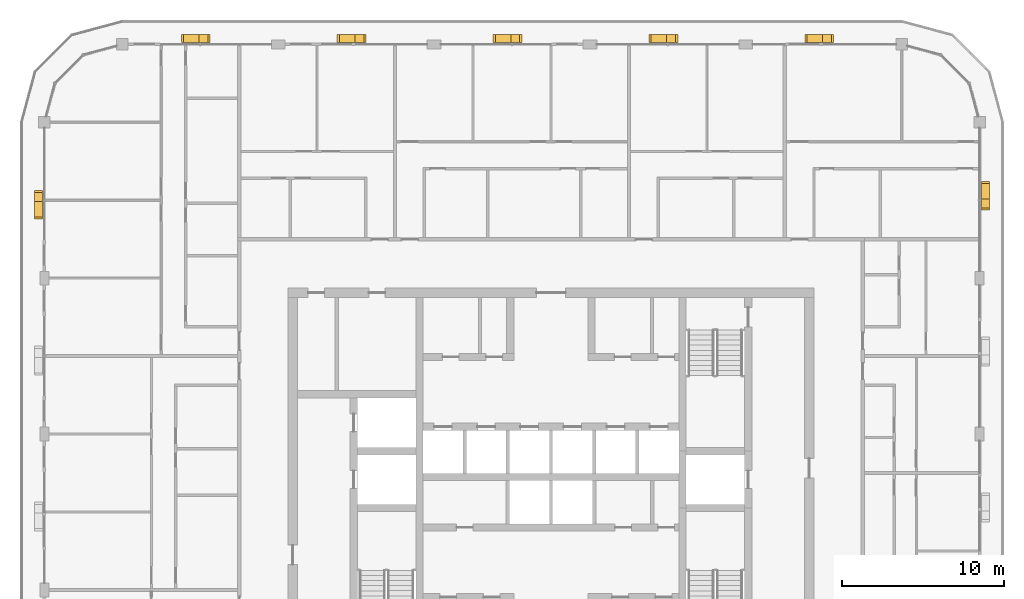
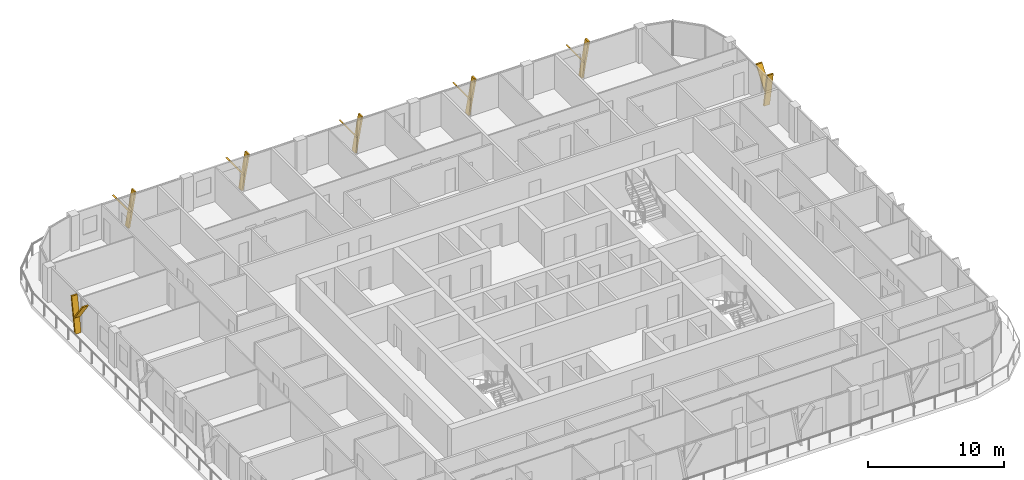
# One storey, part 22 of 22: 14 shading devices.
"""IFC4 building model written with IfcOpenShell, lengths in metres."""

from ifc_helpers import new_model, si_unit, direction, frame, origin, place, context, subcontext, project, spatial, polyline, outline, extrude, material, type_object, element, save


model = new_model("IFC4")

# Units and contexts
model_context = context("Model", 3, precision=1e-05, world=origin(), true_north=direction((0.0, 1.0)))
body_context = subcontext(model_context, "Body", "Model", "MODEL_VIEW")
ifc_project = project(units=[si_unit("LENGTHUNIT", "METRE"), si_unit("AREAUNIT", "SQUARE_METRE"), si_unit("VOLUMEUNIT", "CUBIC_METRE"), si_unit("PLANEANGLEUNIT", "RADIAN"), si_unit("MASSUNIT", "GRAM", prefix="KILO")], contexts=[model_context])

# Site, building, storey
site_placement = place(None, origin())
site = spatial("IfcSite", under=ifc_project, at=site_placement, CompositionType="ELEMENT")
building_placement = place(site_placement, origin())
building = spatial("IfcBuilding", under=site, at=building_placement, Name="Madar Terraces", CompositionType="ELEMENT")
storey_placement = place(building_placement, frame((0.0, 0.0, 259.699951171875)))
storey = spatial("IfcBuildingStorey", under=building, at=storey_placement, Name="L68", CompositionType="ELEMENT", Elevation=259.699951171875)

# Shading devices
ifc_material = material(Name="Aluminium, black anodised", Category="aluminium")
shading_device_type = type_object("IfcShadingDeviceType", Name="Facade fin blade 140 x 500", PredefinedType="USERDEFINED", material=ifc_material)
shading_device_1_placement = place(storey_placement, frame((57.949951171875, 43.1298828125, 0.0), z_axis=(0.0, 0.0, 1.0), x_axis=(0.0, 1.0, 0.0)))
element("IfcShadingDevice", 1, at=shading_device_1_placement, inside=storey, type_object=shading_device_type, Name="FIN L68 E4", ObjectType="FIN", PredefinedType="USERDEFINED", context=body_context, shape_type="SweptSolid", body=[
    extrude(outline(polyline([(0.0, 0.0), (0.14013671875, 0.0), (-0.403076171875, 3.080078125), (-0.54296875, 3.080078125), (0.0, 0.0)])), frame((0.0, 0.25, 0.0), z_axis=(0.0, -1.0, 0.0), x_axis=(1.0, 0.0, 0.0)), (0.0, 0.0, 1.0), 0.5),
])
shading_device_2_placement = place(storey_placement, frame((57.949951171875, 43.025634765625, 1.385986328125), z_axis=(0.0, 0.0, 1.0), x_axis=(0.0, 1.0, 0.0)))
element("IfcShadingDevice", 2, at=shading_device_2_placement, inside=storey, type_object=shading_device_type, Name="FIN L68 E4 branch", ObjectType="FIN", PredefinedType="USERDEFINED", context=body_context, shape_type="SweptSolid", body=[
    extrude(outline(polyline([(0.0, 0.0), (0.139892578125, 0.0), (1.34130859375, 1.694091796875), (1.201416015625, 1.694091796875), (0.0, 0.0)])), frame((0.0, 0.25, 0.0), z_axis=(0.0, -1.0, 0.0), x_axis=(1.0, 0.0, 0.0)), (0.0, 0.0, 1.0), 0.5),
])
shading_device_3_placement = place(storey_placement, frame((48.070068359375, 53.14990234375, 0.0), z_axis=(0.0, 0.0, 1.0), x_axis=(-1.0, 0.0, 0.0)))
element("IfcShadingDevice", 3, at=shading_device_3_placement, inside=storey, type_object=shading_device_type, Name="FIN L68 N1", ObjectType="FIN", PredefinedType="USERDEFINED", context=body_context, shape_type="SweptSolid", body=[
    extrude(outline(polyline([(0.0, 0.0), (0.14013671875, 0.0), (-0.403076171875, 3.080078125), (-0.54296875, 3.080078125), (0.0, 0.0)])), frame((0.0, 0.25, 0.0), z_axis=(0.0, -1.0, 0.0), x_axis=(1.0, 0.0, 0.0)), (0.0, 0.0, 1.0), 0.5),
])
shading_device_4_placement = place(storey_placement, frame((48.17431640625, 53.14990234375, 1.385986328125), z_axis=(0.0, 0.0, 1.0), x_axis=(-1.0, 0.0, 0.0)))
element("IfcShadingDevice", 4, at=shading_device_4_placement, inside=storey, type_object=shading_device_type, Name="FIN L68 N1 branch", ObjectType="FIN", PredefinedType="USERDEFINED", context=body_context, shape_type="SweptSolid", body=[
    extrude(outline(polyline([(0.0, 0.0), (0.139892578125, 0.0), (1.34130859375, 1.694091796875), (1.201416015625, 1.694091796875), (0.0, 0.0)])), frame((0.0, 0.25, 0.0), z_axis=(0.0, -1.0, 0.0), x_axis=(1.0, 0.0, 0.0)), (0.0, 0.0, 1.0), 0.5),
])
shading_device_5_placement = place(storey_placement, frame((38.469970703125, 53.14990234375, 0.0), z_axis=(0.0, 0.0, 1.0), x_axis=(-1.0, 0.0, 0.0)))
element("IfcShadingDevice", 5, at=shading_device_5_placement, inside=storey, type_object=shading_device_type, Name="FIN L68 N2", ObjectType="FIN", PredefinedType="USERDEFINED", context=body_context, shape_type="SweptSolid", body=[
    extrude(outline(polyline([(0.0, 0.0), (0.139892578125, 0.0), (-0.403076171875, 3.080078125), (-0.54296875, 3.080078125), (0.0, 0.0)])), frame((0.0, 0.25, 0.0), z_axis=(0.0, -1.0, 0.0), x_axis=(1.0, 0.0, 0.0)), (0.0, 0.0, 1.0), 0.5),
])
shading_device_6_placement = place(storey_placement, frame((38.574462890625, 53.14990234375, 1.385986328125), z_axis=(0.0, 0.0, 1.0), x_axis=(-1.0, 0.0, 0.0)))
element("IfcShadingDevice", 6, at=shading_device_6_placement, inside=storey, type_object=shading_device_type, Name="FIN L68 N2 branch", ObjectType="FIN", PredefinedType="USERDEFINED", context=body_context, shape_type="SweptSolid", body=[
    extrude(outline(polyline([(0.0, 0.0), (0.14013671875, 0.0), (1.34130859375, 1.694091796875), (1.201416015625, 1.694091796875), (0.0, 0.0)])), frame((0.0, 0.25, 0.0), z_axis=(0.0, -1.0, 0.0), x_axis=(1.0, 0.0, 0.0)), (0.0, 0.0, 1.0), 0.5),
])
shading_device_7_placement = place(storey_placement, frame((28.8701171875, 53.14990234375, 0.0), z_axis=(0.0, 0.0, 1.0), x_axis=(-1.0, 0.0, 0.0)))
element("IfcShadingDevice", 7, at=shading_device_7_placement, inside=storey, type_object=shading_device_type, Name="FIN L68 N3", ObjectType="FIN", PredefinedType="USERDEFINED", context=body_context, shape_type="SweptSolid", body=[
    extrude(outline(polyline([(0.0, 0.0), (0.14013671875, 0.0), (-0.403076171875, 3.080078125), (-0.54296875, 3.080078125), (0.0, 0.0)])), frame((0.0, 0.25, 0.0), z_axis=(0.0, -1.0, 0.0), x_axis=(1.0, 0.0, 0.0)), (0.0, 0.0, 1.0), 0.5),
])
shading_device_8_placement = place(storey_placement, frame((28.974365234375, 53.14990234375, 1.385986328125), z_axis=(0.0, 0.0, 1.0), x_axis=(-1.0, 0.0, 0.0)))
element("IfcShadingDevice", 8, at=shading_device_8_placement, inside=storey, type_object=shading_device_type, Name="FIN L68 N3 branch", ObjectType="FIN", PredefinedType="USERDEFINED", context=body_context, shape_type="SweptSolid", body=[
    extrude(outline(polyline([(0.0, 0.0), (0.139892578125, 0.0), (1.34130859375, 1.694091796875), (1.201416015625, 1.694091796875), (0.0, 0.0)])), frame((0.0, 0.25, 0.0), z_axis=(0.0, -1.0, 0.0), x_axis=(1.0, 0.0, 0.0)), (0.0, 0.0, 1.0), 0.5),
])
shading_device_9_placement = place(storey_placement, frame((19.27001953125, 53.14990234375, 0.0), z_axis=(0.0, 0.0, 1.0), x_axis=(-1.0, 0.0, 0.0)))
element("IfcShadingDevice", 9, at=shading_device_9_placement, inside=storey, type_object=shading_device_type, Name="FIN L68 N4", ObjectType="FIN", PredefinedType="USERDEFINED", context=body_context, shape_type="SweptSolid", body=[
    extrude(outline(polyline([(0.0, 0.0), (0.14013671875, 0.0), (-0.403076171875, 3.080078125), (-0.54296875, 3.080078125), (0.0, 0.0)])), frame((0.0, 0.25, 0.0), z_axis=(0.0, -1.0, 0.0), x_axis=(1.0, 0.0, 0.0)), (0.0, 0.0, 1.0), 0.5),
])
shading_device_10_placement = place(storey_placement, frame((19.374267578125, 53.14990234375, 1.385986328125), z_axis=(0.0, 0.0, 1.0), x_axis=(-1.0, 0.0, 0.0)))
element("IfcShadingDevice", 10, at=shading_device_10_placement, inside=storey, type_object=shading_device_type, Name="FIN L68 N4 branch", ObjectType="FIN", PredefinedType="USERDEFINED", context=body_context, shape_type="SweptSolid", body=[
    extrude(outline(polyline([(0.0, 0.0), (0.139892578125, 0.0), (1.34130859375, 1.694091796875), (1.201416015625, 1.694091796875), (0.0, 0.0)])), frame((0.0, 0.25, 0.0), z_axis=(0.0, -1.0, 0.0), x_axis=(1.0, 0.0, 0.0)), (0.0, 0.0, 1.0), 0.5),
])
shading_device_11_placement = place(storey_placement, frame((9.669921875, 53.14990234375, 0.0), z_axis=(0.0, 0.0, 1.0), x_axis=(-1.0, 0.0, 0.0)))
element("IfcShadingDevice", 11, at=shading_device_11_placement, inside=storey, type_object=shading_device_type, Name="FIN L68 N5", ObjectType="FIN", PredefinedType="USERDEFINED", context=body_context, shape_type="SweptSolid", body=[
    extrude(outline(polyline([(0.0, 0.0), (0.139892578125, 0.0), (-0.403076171875, 3.080078125), (-0.54296875, 3.080078125), (0.0, 0.0)])), frame((0.0, 0.25, 0.0), z_axis=(0.0, -1.0, 0.0), x_axis=(1.0, 0.0, 0.0)), (0.0, 0.0, 1.0), 0.5),
])
shading_device_12_placement = place(storey_placement, frame((9.7744140625, 53.14990234375, 1.385986328125), z_axis=(0.0, 0.0, 1.0), x_axis=(-1.0, 0.0, 0.0)))
element("IfcShadingDevice", 12, at=shading_device_12_placement, inside=storey, type_object=shading_device_type, Name="FIN L68 N5 branch", ObjectType="FIN", PredefinedType="USERDEFINED", context=body_context, shape_type="SweptSolid", body=[
    extrude(outline(polyline([(0.0, 0.0), (0.14013671875, 0.0), (1.34130859375, 1.694091796875), (1.201416015625, 1.694091796875), (0.0, 0.0)])), frame((0.0, 0.25, 0.0), z_axis=(0.0, -1.0, 0.0), x_axis=(1.0, 0.0, 0.0)), (0.0, 0.0, 1.0), 0.5),
])
shading_device_13_placement = place(storey_placement, frame((-0.35009765625, 43.27001953125, 0.0), z_axis=(0.0, 0.0, 1.0), x_axis=(0.0, -1.0, 0.0)))
element("IfcShadingDevice", 13, at=shading_device_13_placement, inside=storey, type_object=shading_device_type, Name="FIN L68 W1", ObjectType="FIN", PredefinedType="USERDEFINED", context=body_context, shape_type="SweptSolid", body=[
    extrude(outline(polyline([(0.0, 0.0), (0.14013671875, 0.0), (-0.403076171875, 3.080078125), (-0.54296875, 3.080078125), (0.0, 0.0)])), frame((0.0, 0.25, 0.0), z_axis=(0.0, -1.0, 0.0), x_axis=(1.0, 0.0, 0.0)), (0.0, 0.0, 1.0), 0.5),
])
shading_device_14_placement = place(storey_placement, frame((-0.35009765625, 43.374267578125, 1.385986328125), z_axis=(0.0, 0.0, 1.0), x_axis=(0.0, -1.0, 0.0)))
element("IfcShadingDevice", 14, at=shading_device_14_placement, inside=storey, type_object=shading_device_type, Name="FIN L68 W1 branch", ObjectType="FIN", PredefinedType="USERDEFINED", context=body_context, shape_type="SweptSolid", body=[
    extrude(outline(polyline([(0.0, 0.0), (0.139892578125, 0.0), (1.34130859375, 1.694091796875), (1.201416015625, 1.694091796875), (0.0, 0.0)])), frame((0.0, 0.25, 0.0), z_axis=(0.0, -1.0, 0.0), x_axis=(1.0, 0.0, 0.0)), (0.0, 0.0, 1.0), 0.5),
])

save(model, "model.ifc")
